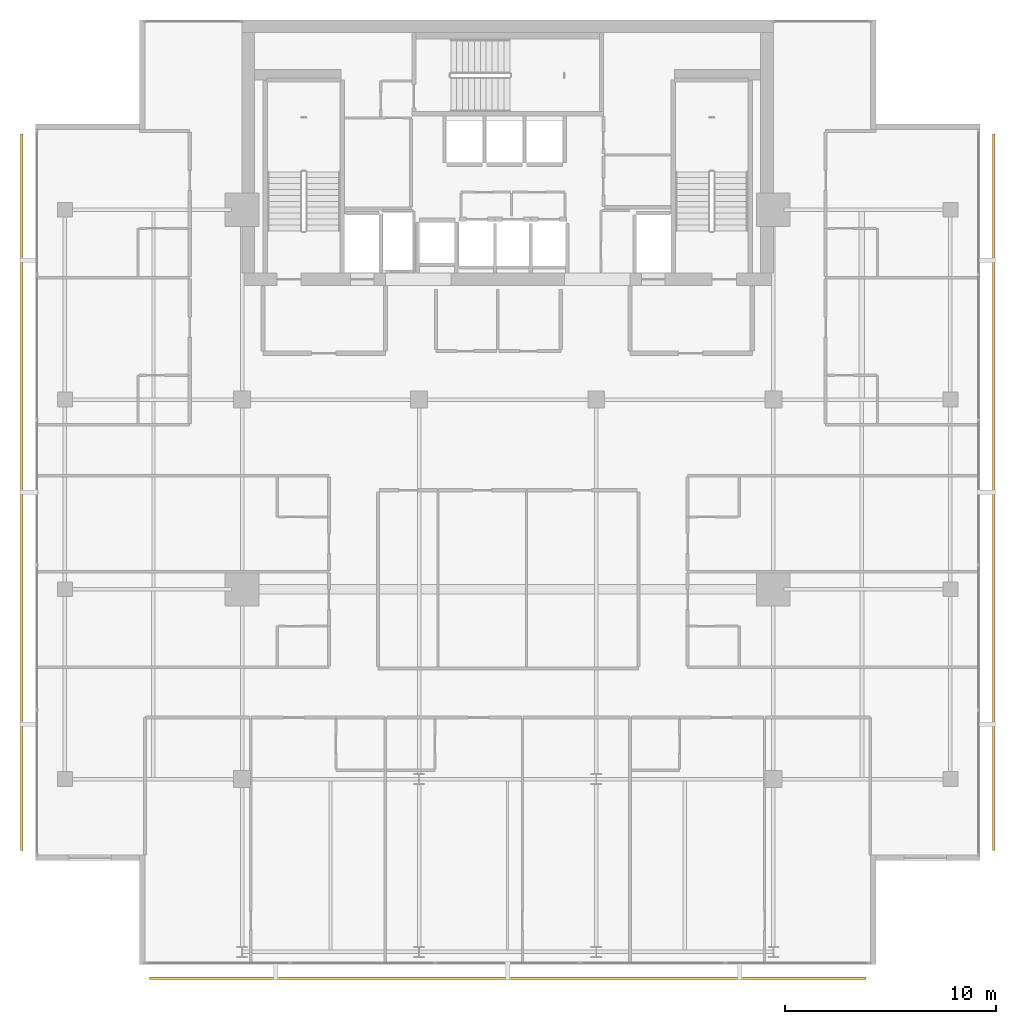
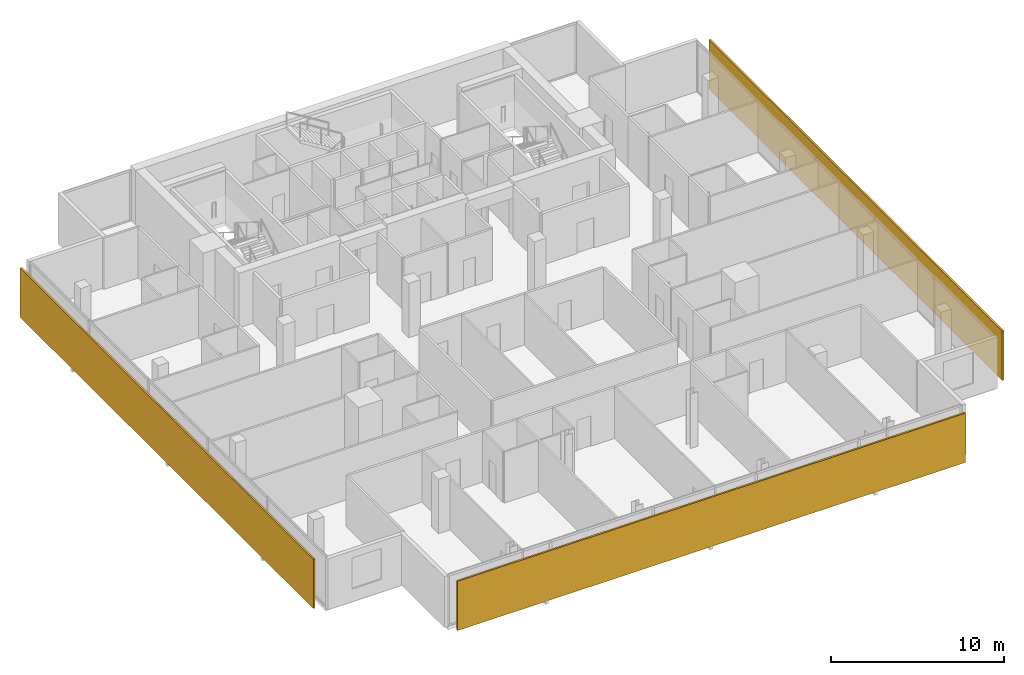
# One storey, part 25 of 26: 3 shading devices.
"""IFC4 building model written with IfcOpenShell, lengths in metres."""

from ifc_helpers import new_model, si_unit, direction, frame, origin, origin_2d, place, context, subcontext, project, spatial, rectangle, extrude, material, layer, layer_set, type_object, element, save


model = new_model("IFC4")

# Units and contexts
model_context = context("Model", 3, precision=1e-05, world=origin(), true_north=direction((0.0, 1.0)))
body_context = subcontext(model_context, "Body", "Model", "MODEL_VIEW")
ifc_project = project(units=[si_unit("LENGTHUNIT", "METRE"), si_unit("AREAUNIT", "SQUARE_METRE"), si_unit("VOLUMEUNIT", "CUBIC_METRE"), si_unit("PLANEANGLEUNIT", "RADIAN"), si_unit("MASSUNIT", "GRAM", prefix="KILO")], contexts=[model_context])

# Site, building, storey
site_placement = place(None, origin())
site = spatial("IfcSite", under=ifc_project, at=site_placement, CompositionType="ELEMENT")
building_placement = place(site_placement, origin())
building = spatial("IfcBuilding", under=site, at=building_placement, Name="Maruvema Waterfront Hotel and Observation Tower", CompositionType="ELEMENT")
storey_placement = place(building_placement, frame((0.0, 0.0, 301.0)))
storey = spatial("IfcBuildingStorey", under=building, at=storey_placement, Name="L74", CompositionType="ELEMENT", Elevation=301.0)

# Shading devices
ifc_material = material(Name="Honed travertine stone and anodised architectural bronze", Category="masonry")
ifc_layer = layer(ifc_material, 0.1201171875, Name="Ventilated Outer Skin Cobogo Stone-and-Bronze Screen 120 mm")
ifc_layer_set = layer_set([ifc_layer], Name="Honed travertine stone and anodised architectural bronze")
shading_device_type = type_object("IfcShadingDeviceType", Name="Ventilated Outer Skin Cobogo Stone-and-Bronze Screen 120 mm", PredefinedType="USERDEFINED", material=ifc_layer_set)
for number, where, z_axis, x_axis, name in (
    (1, (37.800048828125, 8.550048828125, 0.06005859375), (0.0, 0.0, 1.0), (1.0, 0.0, 0.0), "L74 Ventilated Double-Skin Outer Cobogo Screen OS-L74-S"),
    (2, (60.85009765625, 31.60009765625, 0.06005859375), (0.0, 0.0, 1.0), (0.0, 1.0, 0.0), "L74 Ventilated Double-Skin Outer Cobogo Screen OS-L74-E"),
    (3, (14.75, 31.60009765625, 0.06005859375), (0.0, 0.0, 1.0), (0.0, -1.0, 0.0), "L74 Ventilated Double-Skin Outer Cobogo Screen OS-L74-W"),
):
    element("IfcShadingDevice", number, at=place(storey_placement, frame(where, z_axis=z_axis, x_axis=x_axis)), inside=storey, type_object=shading_device_type, Name=name, ObjectType="OUTER SKIN SCREEN", PredefinedType="USERDEFINED", context=body_context, shape_type="SweptSolid", body=[
        extrude(rectangle(XDim=34.0, YDim=0.1201171875, at=origin_2d()), origin(), (0.0, 0.0, 1.0), 3.489990234375),
    ])

save(model, "model.ifc")
